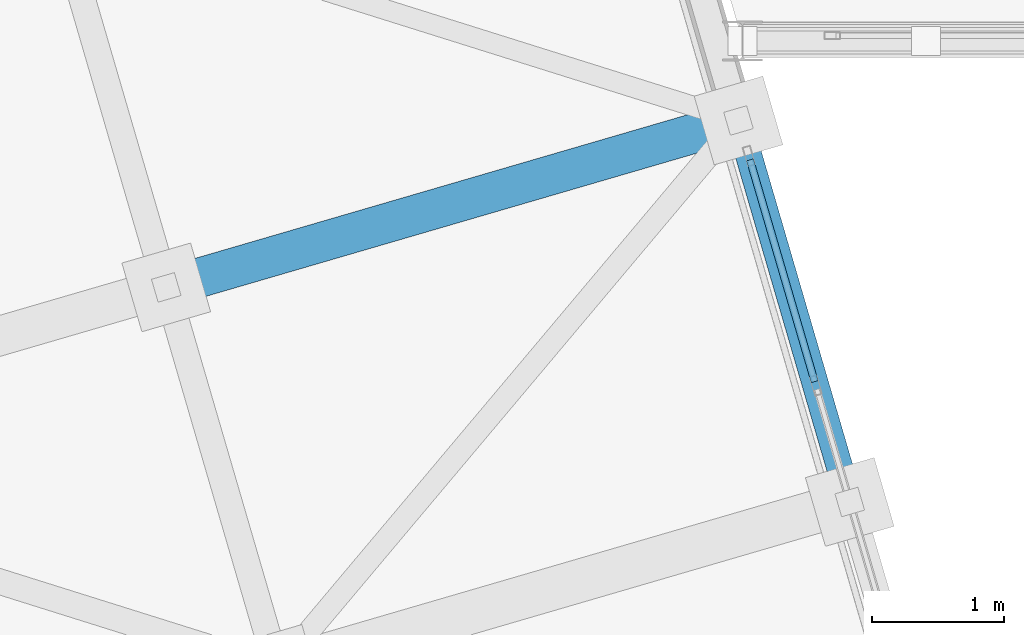
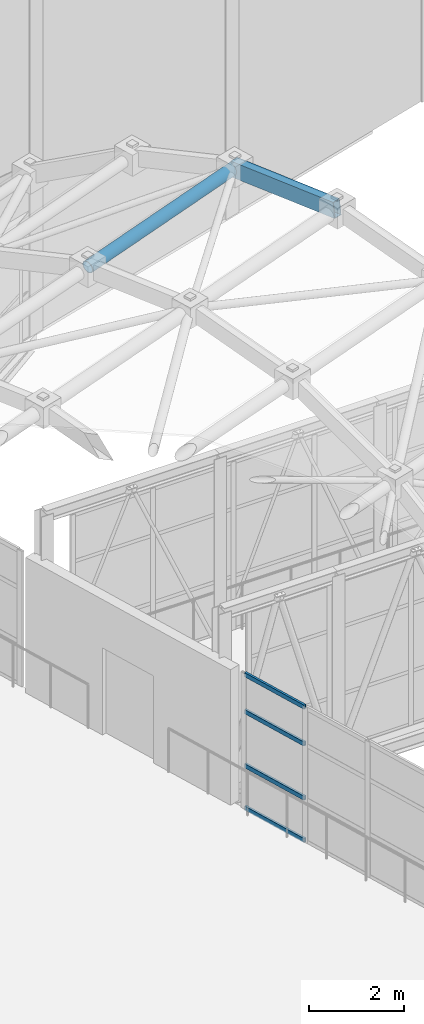
# One storey, part 81 of 248: 5 members, 1 beam, 1 element without a shape of its own.
"""IFC4 building model written with IfcOpenShell, lengths in metres."""

import ifcopenshell
import ifcopenshell.guid

model = None  # the IFC model being written
_history = None  # IfcOwnerHistory: only IFC2X3 demands one
_inside = {}  # id of a spatial element -> (the spatial element, [elements in it])
_under = {}  # id of a project, library or spatial element -> (it, [spatial elements below it])
_declared = {}  # id of a project -> (the project, [libraries it declares])
_typed = {}  # id of a type object -> (the type object, [elements of that type])
_made_of = {}  # id of a material, layer set ... -> (it, [elements and type objects made of it])


def new_model(schema):
    """Start an empty IFC model of exactly this schema.

    Asked for "IFC4X3", IfcOpenShell would pick the latest addendum, in which some entities
    have other attributes; the version numbers below select the first issue.
    IFC2X3 requires an IfcOwnerHistory on every rooted entity: one is made here for all.
    """
    global model, _history
    if schema == "IFC4X3":
        model = ifcopenshell.file(schema_version=(4, 3, 0, 0))
    else:
        model = ifcopenshell.file(schema=schema)
    _inside.clear()
    _under.clear()
    _declared.clear()
    _typed.clear()
    _made_of.clear()
    _history = None
    if model.schema == "IFC2X3":
        org = make("IfcOrganization", Name="unknown")
        user = make(
            "IfcPersonAndOrganization",
            ThePerson=make("IfcPerson", FamilyName="unknown"),
            TheOrganization=org,
        )
        app = make(
            "IfcApplication",
            ApplicationDeveloper=org,
            Version="unknown",
            ApplicationFullName="unknown",
            ApplicationIdentifier="unknown",
        )
        _history = make(
            "IfcOwnerHistory",
            OwningUser=user,
            OwningApplication=app,
            ChangeAction="ADDED",
            CreationDate=0,
        )
    return model


def make(cls, **values):
    """One entity of the class cls with the attributes given. An attribute that is None is left unset."""
    return model.create_entity(
        cls, **{name: value for name, value in values.items() if value is not None}
    )


def rooted(cls, **values):
    """An entity with a GlobalId (a new one), such as an element, a storey or a relation."""
    return make(cls, GlobalId=ifcopenshell.guid.new(), OwnerHistory=_history, **values)


def si_unit(unit_type, name, prefix=None):
    """IfcSIUnit, for example si_unit("LENGTHUNIT", "METRE", prefix="MILLI")."""
    return make("IfcSIUnit", UnitType=unit_type, Prefix=prefix, Name=name)


def assignment(units):
    """IfcUnitAssignment: the units of a project."""
    return None if units is None else make("IfcUnitAssignment", Units=units)


def point(xyz):
    """IfcCartesianPoint."""
    return None if xyz is None else make("IfcCartesianPoint", Coordinates=xyz)


def direction(xyz):
    """IfcDirection."""
    return None if xyz is None else make("IfcDirection", DirectionRatios=xyz)


def frame(location, z_axis=None, x_axis=None):
    """IfcAxis2Placement3D, a coordinate frame: its origin and axes. An axis left out is left unset."""
    return make(
        "IfcAxis2Placement3D",
        Location=point(location),
        Axis=direction(z_axis),
        RefDirection=direction(x_axis),
    )


def frame_2d(location, x_axis=None):
    """IfcAxis2Placement2D, a coordinate frame in the plane: its origin and x axis."""
    return make(
        "IfcAxis2Placement2D", Location=point(location), RefDirection=direction(x_axis)
    )


def origin():
    """The frame at (0, 0, 0) with its axes left unset."""
    return frame((0.0, 0.0, 0.0))


def origin_2d():
    """The frame at (0, 0) in the plane with its x axis left unset."""
    return frame_2d((0.0, 0.0))


def place(relative_to, where):
    """IfcLocalPlacement: puts the frame where relative to a parent placement (None: the world)."""
    return make(
        "IfcLocalPlacement", PlacementRelTo=relative_to, RelativePlacement=where
    )


def context(
    kind, dimensions, precision=None, world=None, true_north=None, identifier=None
):
    """IfcGeometricRepresentationContext, for example the 3D "Model" context."""
    return make(
        "IfcGeometricRepresentationContext",
        ContextIdentifier=identifier,
        ContextType=kind,
        CoordinateSpaceDimension=dimensions,
        Precision=precision,
        WorldCoordinateSystem=world,
        TrueNorth=true_north,
    )


def subcontext(parent, identifier, kind, view, scale=None):
    """IfcGeometricRepresentationSubContext, for example "Body" below "Model"."""
    return make(
        "IfcGeometricRepresentationSubContext",
        ContextIdentifier=identifier,
        ContextType=kind,
        ParentContext=parent,
        TargetScale=scale,
        TargetView=view,
    )


def project(units=None, contexts=None):
    """IfcProject with its units and contexts."""
    return rooted(
        "IfcProject",
        Name="project",
        RepresentationContexts=contexts,
        UnitsInContext=assignment(units),
    )


def spatial(cls, under=None, at=None, **own):
    """A site, building, storey or space (cls), placed at a placement, below another one or the project."""
    s = rooted(cls, ObjectPlacement=at, **own)
    if under is not None:
        _under.setdefault(under.id(), (under, []))[1].append(s)
    return s


def profile(cls, at=None, kind="AREA", **sizes):
    """A parametric profile (cls). Its sizes go by their IFC names, for example OverallWidth=200.0."""
    return make(cls, ProfileType=kind, Position=at, **sizes)


def hollow_rectangle(**sizes):
    """IfcRectangleHollowProfileDef."""
    return profile("IfcRectangleHollowProfileDef", **sizes)


def hollow_circle(**sizes):
    """IfcCircleHollowProfileDef."""
    return profile("IfcCircleHollowProfileDef", **sizes)


def extrude(swept, where, along, depth):
    """IfcExtrudedAreaSolid: the profile swept, set in the frame where, extruded along a direction by depth."""
    return make(
        "IfcExtrudedAreaSolid",
        SweptArea=swept,
        Position=where,
        ExtrudedDirection=direction(along),
        Depth=depth,
    )


def shape(context_of_items, identifier, shape_type, items):
    """IfcShapeRepresentation: the items that make up one representation, for example the "Body"."""
    return make(
        "IfcShapeRepresentation",
        ContextOfItems=context_of_items,
        RepresentationIdentifier=identifier,
        RepresentationType=shape_type,
        Items=items,
    )


def material(Name=None, Category=None):
    """IfcMaterial."""
    return make("IfcMaterial", Name=Name, Category=Category)


def layer(
    of_material, thickness, ventilated=None, Name=None, Category=None, Priority=None
):
    """IfcMaterialLayer: one layer of a wall or slab, of a material (None: an air gap)."""
    return make(
        "IfcMaterialLayer",
        Material=of_material,
        LayerThickness=thickness,
        IsVentilated=ventilated,
        Name=Name,
        Category=Category,
        Priority=Priority,
    )


def layer_set(layers, Name=None):
    """IfcMaterialLayerSet."""
    return make("IfcMaterialLayerSet", MaterialLayers=layers, LayerSetName=Name)


def material_profile(
    of_material, cross_section, Name=None, Category=None, Priority=None
):
    """IfcMaterialProfile: a cross section and its material."""
    return make(
        "IfcMaterialProfile",
        Name=Name,
        Material=of_material,
        Profile=cross_section,
        Priority=Priority,
        Category=Category,
    )


def profile_set(profiles, Name=None, composite=None):
    """IfcMaterialProfileSet."""
    return make(
        "IfcMaterialProfileSet",
        Name=Name,
        MaterialProfiles=profiles,
        CompositeProfile=composite,
    )


def made_of(thing, what):
    """Note that an element or type object is made of a material, layer set ...; save() writes the relation."""
    if what is not None:
        _made_of.setdefault(what.id(), (what, []))[1].append(thing)
    return thing


def type_object(cls, material=None, **own):
    """A type object (cls), such as IfcWallType, which elements share."""
    return made_of(rooted(cls, **own), material)


def element(
    cls,
    number,
    at=None,
    inside=None,
    cuts=None,
    type_object=None,
    material=None,
    context=None,
    identifier="Body",
    shape_type=None,
    held_by="IfcProductDefinitionShape",
    body=None,
    shapes=None,
    **own,
):
    """One element of the class cls, such as IfcWall. Its Tag is "e" and its number.

    at: its placement. inside: the storey or other place that contains it. cuts: it is an
    opening in that element (IfcRelVoidsElement). A single representation is given by context,
    identifier, shape_type and body (its items); several are given by shapes. held_by: the class
    of the entity that holds the representations. save() writes the other relations.
    """
    e = rooted(cls, Tag="e%d" % number, ObjectPlacement=at, **own)
    if body is not None:
        shapes = [shape(context, identifier, shape_type, body)]
    if shapes is not None:
        e.Representation = make(held_by, Representations=shapes)
    if inside is not None:
        _inside.setdefault(inside.id(), (inside, []))[1].append(e)
    if cuts is not None:
        rooted(
            "IfcRelVoidsElement", RelatingBuildingElement=cuts, RelatedOpeningElement=e
        )
    if type_object is not None:
        _typed.setdefault(type_object.id(), (type_object, []))[1].append(e)
    return made_of(e, material)


def aggregate(whole, parts):
    """IfcRelAggregates: a whole, such as a stair, and the parts it consists of."""
    return rooted("IfcRelAggregates", RelatingObject=whole, RelatedObjects=parts)


def save(model, path):
    """Write the relations noted so far, then the file.

    IfcRelAggregates (storeys below a building ...), IfcRelContainedInSpatialStructure (elements
    in a storey), IfcRelDefinesByType, IfcRelAssociatesMaterial and IfcRelDeclares: one each for
    every whole, place, type object, material and project.
    """
    for whole, parts in _under.values():
        aggregate(whole, parts)
    for where, things in _inside.values():
        rooted(
            "IfcRelContainedInSpatialStructure",
            RelatedElements=things,
            RelatingStructure=where,
        )
    for kind, things in _typed.values():
        rooted("IfcRelDefinesByType", RelatedObjects=things, RelatingType=kind)
    for what, things in _made_of.values():
        rooted("IfcRelAssociatesMaterial", RelatedObjects=things, RelatingMaterial=what)
    for by, libraries in _declared.values():
        rooted("IfcRelDeclares", RelatingContext=by, RelatedDefinitions=libraries)
    model.write(path)


model = new_model("IFC4")

# Units and contexts
model_context = context("Model", 3, precision=1e-05, world=origin(), true_north=direction((0.0, 1.0)))
body_context = subcontext(model_context, "Body", "Model", "MODEL_VIEW")
ifc_project = project(units=[si_unit("LENGTHUNIT", "METRE"), si_unit("AREAUNIT", "SQUARE_METRE"), si_unit("VOLUMEUNIT", "CUBIC_METRE"), si_unit("PLANEANGLEUNIT", "RADIAN"), si_unit("MASSUNIT", "GRAM", prefix="KILO")], contexts=[model_context])

# Site, building, storey
site_placement = place(None, origin())
site = spatial("IfcSite", under=ifc_project, at=site_placement, CompositionType="ELEMENT")
building_placement = place(site_placement, origin())
building = spatial("IfcBuilding", under=site, at=building_placement, Name="Canggui Botanical Conservatory", CompositionType="ELEMENT")
storey_placement = place(building_placement, frame((0.0, 0.0, 5.39990234375)))
storey = spatial("IfcBuildingStorey", under=building, at=storey_placement, Name="L02", CompositionType="ELEMENT", Elevation=5.39990234375)

# Beam
ifc_material_1 = material(Name="Steel Q355C", Category="steel")
ifc_material_profile_1 = material_profile(ifc_material_1, hollow_rectangle(XDim=0.199951171875, YDim=0.39990234375, WallThickness=0.011962890625, at=origin_2d()), Name="RHS 200x400x12")
ifc_profile_set_1 = profile_set([ifc_material_profile_1], Name="Steel Q355C")
beam_type = type_object("IfcBeamType", Name="BM-GJ04", PredefinedType="BEAM", material=ifc_profile_set_1)
beam_placement = place(storey_placement, frame((67.639892578125, 71.52001953125, 16.800048828125), z_axis=(-0.277696227377, 0.952239737831, -0.126981443507), x_axis=(-0.960010937337, -0.279962497833, 0.0)))
element("IfcBeam", 1, at=beam_placement, inside=storey, type_object=beam_type, Name="Conservatory Stepped-Arch Rib GJ-15 Segment 6", PredefinedType="BEAM", context=body_context, shape_type="SweptSolid", body=[
    extrude(hollow_rectangle(XDim=0.199951171875, YDim=0.39990234375, WallThickness=0.011962890625, at=origin_2d()), origin(), (0.0, 0.0, 1.0), 3.0244140625),
])

# Curtain wall, members
ifc_material_2 = material(Name="Thermally Broken Aluminium", Category="aluminium")
ifc_layer = layer(ifc_material_2, 0.14990234375, Name="Thermally Broken Aluminium", Category="aluminium")
ifc_layer_set = layer_set([ifc_layer], Name="Thermally Broken Aluminium")
curtain_wall_type = type_object("IfcCurtainWallType", Name="CW-UNIT-C", PredefinedType="USERDEFINED", material=ifc_layer_set)
curtain_wall_placement = place(storey_placement, origin())
curtain_wall = element("IfcCurtainWall", 2, at=curtain_wall_placement, inside=storey, type_object=curtain_wall_type, Name="Facade Curtain Wall CW-CONS-GABLE-L02-N-03", ObjectType="UNITISED CURTAIN WALL", PredefinedType="USERDEFINED")
ifc_material_profile_2 = material_profile(ifc_material_2, hollow_rectangle(XDim=0.054931640625, YDim=0.110107421875, WallThickness=0.0029296875, at=origin_2d()), Name="CWT 55x110x3")
ifc_profile_set_2 = profile_set([ifc_material_profile_2], Name="Thermally Broken Aluminium")
member_type_1 = type_object("IfcMemberType", Name="CWT-03", PredefinedType="USERDEFINED", material=ifc_profile_set_2)
member_1_placement = place(storey_placement, frame((67.375, 72.4287109375, 0.027587890625), z_axis=(-0.280080662242, 0.959976469836, 0.0), x_axis=(-0.959976469836, -0.280080662242, 0.0)))
member_1 = element("IfcMember", 3, at=member_1_placement, type_object=member_type_1, Name="CW-03 transom 3.1", ObjectType="TRANSOM", PredefinedType="USERDEFINED", context=body_context, shape_type="SweptSolid", body=[
    extrude(hollow_rectangle(XDim=0.054931640625, YDim=0.110107421875, WallThickness=0.0029296875, at=origin_2d()), origin(), (0.0, 0.0, 1.0), 1.743408203125),
])
member_2_placement = place(storey_placement, frame((67.375, 72.4287109375, 1.1201171875), z_axis=(-0.280080662242, 0.959976469836, 0.0), x_axis=(-0.959976469836, -0.280080662242, 0.0)))
member_2 = element("IfcMember", 4, at=member_2_placement, type_object=member_type_1, Name="CW-03 transom 3.2", ObjectType="TRANSOM", PredefinedType="USERDEFINED", context=body_context, shape_type="SweptSolid", body=[
    extrude(hollow_rectangle(XDim=0.054931640625, YDim=0.110107421875, WallThickness=0.0029296875, at=origin_2d()), origin(), (0.0, 0.0, 1.0), 1.743408203125),
])
member_3_placement = place(storey_placement, frame((67.375, 72.4287109375, 2.52001953125), z_axis=(-0.280080662242, 0.959976469836, 0.0), x_axis=(-0.959976469836, -0.280080662242, 0.0)))
member_3 = element("IfcMember", 5, at=member_3_placement, type_object=member_type_1, Name="CW-03 transom 3.3", ObjectType="TRANSOM", PredefinedType="USERDEFINED", context=body_context, shape_type="SweptSolid", body=[
    extrude(hollow_rectangle(XDim=0.054931640625, YDim=0.110107421875, WallThickness=0.0029296875, at=origin_2d()), origin(), (0.0, 0.0, 1.0), 1.743408203125),
])
member_4_placement = place(storey_placement, frame((67.375, 72.4287109375, 3.47265625), z_axis=(-0.280080662242, 0.959976469836, 0.0), x_axis=(-0.959976469836, -0.280080662242, 0.0)))
member_4 = element("IfcMember", 6, at=member_4_placement, type_object=member_type_1, Name="CW-03 transom 3.4", ObjectType="TRANSOM", PredefinedType="USERDEFINED", context=body_context, shape_type="SweptSolid", body=[
    extrude(hollow_rectangle(XDim=0.054931640625, YDim=0.110107421875, WallThickness=0.0029296875, at=origin_2d()), origin(), (0.0, 0.0, 1.0), 1.743408203125),
])
aggregate(curtain_wall, [member_1, member_2, member_3, member_4])

# Member
ifc_material_profile_3 = material_profile(ifc_material_1, hollow_circle(Radius=0.1494140625, WallThickness=0.011962890625, at=origin_2d()), Name="CHS 299x12")
ifc_profile_set_3 = profile_set([ifc_material_profile_3], Name="Steel Q355C")
member_type_2 = type_object("IfcMemberType", Name="MEM-GSC02", PredefinedType="CHORD", material=ifc_profile_set_3)
member_5_placement = place(storey_placement, frame((62.47998046875, 73.139892578125, 16.1162109375), z_axis=(0.957877180601, 0.279378588815, 0.066474889956), x_axis=(-0.279997916698, 0.960000607627, 0.0)))
element("IfcMember", 7, at=member_5_placement, inside=storey, type_object=member_type_2, Name="Conservatory Gridshell Longitudinal Chord 14-6", PredefinedType="CHORD", context=body_context, shape_type="SweptSolid", body=[
    extrude(hollow_circle(Radius=0.1494140625, WallThickness=0.011962890625, at=origin_2d()), origin(), (0.0, 0.0, 1.0), 4.510009765625),
])

save(model, "model.ifc")
